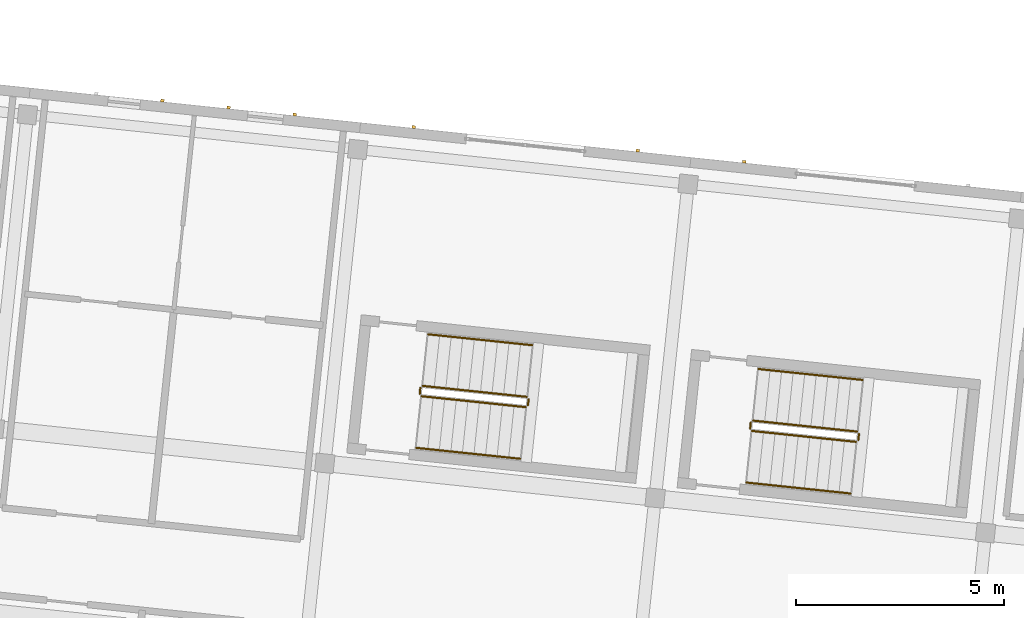
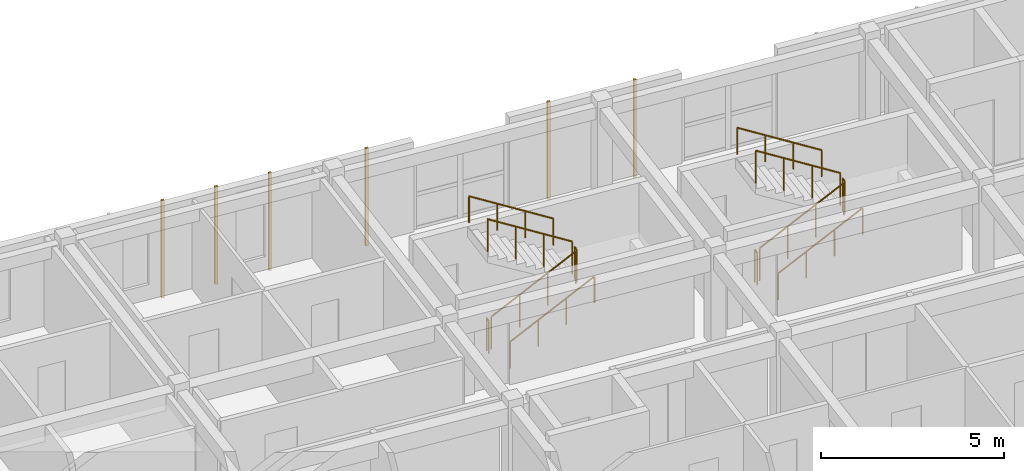
# One storey, part 63 of 64: 12 railings, 6 coverings.
"""IFC4 building model written with IfcOpenShell, lengths in metres."""

from ifc_helpers import new_model, si_unit, direction, frame, origin, origin_2d, place, context, subcontext, project, spatial, rectangle, circle, extrude, material, layer, layer_set, type_object, element, save


model = new_model("IFC4")

# Units and contexts
model_context = context("Model", 3, precision=1e-05, world=origin(), true_north=direction((0.0, 1.0)))
body_context = subcontext(model_context, "Body", "Model", "MODEL_VIEW")
ifc_project = project(units=[si_unit("LENGTHUNIT", "METRE"), si_unit("AREAUNIT", "SQUARE_METRE"), si_unit("VOLUMEUNIT", "CUBIC_METRE"), si_unit("PLANEANGLEUNIT", "RADIAN"), si_unit("MASSUNIT", "GRAM", prefix="KILO")], contexts=[model_context])

# Site, building, storey
site_placement = place(None, origin())
site = spatial("IfcSite", under=ifc_project, at=site_placement, CompositionType="ELEMENT")
building_placement = place(site_placement, origin())
building = spatial("IfcBuilding", under=site, at=building_placement, Name="Kestramere Prow Commons", CompositionType="ELEMENT")
storey_placement = place(building_placement, frame((0.0, 0.0, 24.64990234375)))
storey = spatial("IfcBuildingStorey", under=building, at=storey_placement, Name="L07", CompositionType="ELEMENT", Elevation=24.64990234375)

# Coverings
ifc_material_1 = material(Name="Weathered Zinc-Titanium Standing-Seam Cladding")
ifc_layer = layer(ifc_material_1, 0.074951171875)
ifc_layer_set = layer_set([ifc_layer], Name="Weathered Zinc-Titanium Standing-Seam Cladding")
covering_type = type_object("IfcCoveringType", Name="COV-CLAD-SEAM", PredefinedType="CLADDING", material=ifc_layer_set)
for number, where, z_axis, x_axis, name in (
    (1, (131.21435546875, 112.95947265625, -0.25), (0.0, 0.0, 1.0), (0.994521895368, -0.104528463268, 0.0), "EW-B-L07-N-2 Standing-Seam Rib 2"),
    (2, (132.8056640625, 112.792236328125, -0.25), (0.0, 0.0, 1.0), (0.994521895368, -0.104528463268, 0.0), "EW-B-L07-N-2 Standing-Seam Rib 3"),
    (3, (134.39697265625, 112.625, -0.25), (0.0, 0.0, 1.0), (0.994521895368, -0.104528463268, 0.0), "EW-B-L07-N-2 Standing-Seam Rib 4"),
    (4, (137.2685546875, 112.3232421875, -0.25), (0.0, 0.0, 1.0), (0.994521895368, -0.104528463268, 0.0), "EW-B-L07-NP-3-L Standing-Seam Rib 1"),
    (5, (142.663818359375, 111.756103515625, -0.25), (0.0, 0.0, 1.0), (0.994521895368, -0.104528463268, 0.0), "EW-B-L07-NP-3-R Standing-Seam Rib 1"),
    (6, (145.224609375, 111.48681640625, -0.25), (0.0, 0.0, 1.0), (0.994521895368, -0.104528463268, 0.0), "EW-B-L07-NP-4-L Standing-Seam Rib 1"),
):
    element("IfcCovering", number, at=place(storey_placement, frame(where, z_axis=z_axis, x_axis=x_axis)), inside=storey, type_object=covering_type, Name=name, PredefinedType="CLADDING", context=body_context, shape_type="SweptSolid", body=[
        extrude(rectangle(XDim=0.0849609375, YDim=0.06494140625, at=origin_2d()), origin(), (0.0, 0.0, 1.0), 3.25),
    ])

# Railings
ifc_material_2 = material(Name="Galvanised Steel S275JR", Category="steel")
railing_type_1 = type_object("IfcRailingType", Name="RL-ST-GR-1100", PredefinedType="GUARDRAIL", material=ifc_material_2)
railing_1_placement = place(storey_placement, frame((137.454345703125, 105.8408203125, 0.16259765625)))
element("IfcRailing", 7, at=railing_1_placement, inside=storey, type_object=railing_type_1, Name="L07 ST-B1 stair guard 1", PredefinedType="GUARDRAIL", context=body_context, shape_type="SweptSolid", body=[
    extrude(circle(Radius=0.02392578125, at=origin_2d()), frame((0.0, 0.0, 1.076171875), z_axis=(0.860186756994, -0.09040926464, 0.501901293044), x_axis=(0.104528455675, 0.994521896166, 0.0)), (0.0, 0.0, 1.0), 2.913818359375),
    extrude(circle(Radius=0.02099609375, at=origin_2d()), origin(), (0.0, 0.0, 1.0), 1.052001953125),
    extrude(circle(Radius=0.02099609375, at=origin_2d()), frame((0.83544921875, -0.087890625, 0.487548828125)), (0.0, 0.0, 1.0), 1.052001953125),
    extrude(circle(Radius=0.02099609375, at=origin_2d()), frame((1.6708984375, -0.175537109375, 0.974853515625)), (0.0, 0.0, 1.0), 1.052001953125),
    extrude(circle(Radius=0.02099609375, at=origin_2d()), frame((2.50634765625, -0.263427734375, 1.46240234375)), (0.0, 0.0, 1.0), 1.052001953125),
])
railing_2_placement = place(storey_placement, frame((140.015625, 105.621826171875, 1.625)))
element("IfcRailing", 8, at=railing_2_placement, inside=storey, type_object=railing_type_1, Name="L07 ST-B1 stair guard 2", PredefinedType="GUARDRAIL", context=body_context, shape_type="SweptSolid", body=[
    extrude(circle(Radius=0.02392578125, at=origin_2d()), frame((0.0, 0.0, 1.076171875), z_axis=(0.104176375855, 0.994558838236, 0.0), x_axis=(-0.994558838236, 0.104176375855, 0.0)), (0.0, 0.0, 1.0), 0.14990234375),
    extrude(circle(Radius=0.02099609375, at=origin_2d()), origin(), (0.0, 0.0, 1.0), 1.052001953125),
    extrude(circle(Radius=0.02099609375, at=origin_2d()), frame((0.015625, 0.149169921875, 0.0)), (0.0, 0.0, 1.0), 1.052001953125),
])
railing_3_placement = place(storey_placement, frame((139.98681640625, 105.825927734375, 1.78759765625)))
element("IfcRailing", 9, at=railing_3_placement, inside=storey, type_object=railing_type_1, Name="L07 ST-B1 stair guard 3", PredefinedType="GUARDRAIL", context=body_context, shape_type="SweptSolid", body=[
    extrude(circle(Radius=0.02392578125, at=origin_2d()), frame((0.0, 0.0, 1.076171875), z_axis=(-0.860164962675, 0.090415781269, 0.501937469695), x_axis=(-0.104538527394, -0.994520837534, 0.0)), (0.0, 0.0, 1.0), 2.91357421875),
    extrude(circle(Radius=0.02099609375, at=origin_2d()), origin(), (0.0, 0.0, 1.0), 1.052001953125),
    extrude(circle(Radius=0.02099609375, at=origin_2d()), frame((-0.83544921875, 0.087890625, 0.487548828125)), (0.0, 0.0, 1.0), 1.052001953125),
    extrude(circle(Radius=0.02099609375, at=origin_2d()), frame((-1.670654296875, 0.175537109375, 0.974853515625)), (0.0, 0.0, 1.0), 1.052001953125),
    extrude(circle(Radius=0.02099609375, at=origin_2d()), frame((-2.506103515625, 0.263427734375, 1.46240234375)), (0.0, 0.0, 1.0), 1.052001953125),
])
railing_4_placement = place(storey_placement, frame((137.409912109375, 105.895751953125, 0.0)))
element("IfcRailing", 10, at=railing_4_placement, inside=storey, type_object=railing_type_1, Name="L07 ST-B1 stair guard 4", PredefinedType="GUARDRAIL", context=body_context, shape_type="SweptSolid", body=[
    extrude(circle(Radius=0.02392578125, at=origin_2d()), frame((0.0, 0.0, 1.076171875), z_axis=(0.104176375855, 0.994558838236, 0.0), x_axis=(-0.994558838236, 0.104176375855, 0.0)), (0.0, 0.0, 1.0), 0.14990234375),
    extrude(circle(Radius=0.02099609375, at=origin_2d()), origin(), (0.0, 0.0, 1.0), 1.052001953125),
    extrude(circle(Radius=0.02099609375, at=origin_2d()), frame((0.015625, 0.149169921875, 0.0)), (0.0, 0.0, 1.0), 1.052001953125),
])
railing_5_placement = place(storey_placement, frame((145.41064453125, 105.00439453125, 0.16259765625)))
element("IfcRailing", 11, at=railing_5_placement, inside=storey, type_object=railing_type_1, Name="L07 ST-B2 stair guard 1", PredefinedType="GUARDRAIL", context=body_context, shape_type="SweptSolid", body=[
    extrude(circle(Radius=0.02392578125, at=origin_2d()), frame((0.0, 0.0, 1.076171875), z_axis=(0.860164962675, -0.090415781269, 0.501937469695), x_axis=(0.104538527394, 0.994520837534, 0.0)), (0.0, 0.0, 1.0), 2.91357421875),
    extrude(circle(Radius=0.02099609375, at=origin_2d()), origin(), (0.0, 0.0, 1.0), 1.052001953125),
    extrude(circle(Radius=0.02099609375, at=origin_2d()), frame((0.83544921875, -0.087890625, 0.487548828125)), (0.0, 0.0, 1.0), 1.052001953125),
    extrude(circle(Radius=0.02099609375, at=origin_2d()), frame((1.670654296875, -0.175537109375, 0.974853515625)), (0.0, 0.0, 1.0), 1.052001953125),
    extrude(circle(Radius=0.02099609375, at=origin_2d()), frame((2.506103515625, -0.263427734375, 1.46240234375)), (0.0, 0.0, 1.0), 1.052001953125),
])
railing_6_placement = place(storey_placement, frame((147.9716796875, 104.78564453125, 1.625)))
element("IfcRailing", 12, at=railing_6_placement, inside=storey, type_object=railing_type_1, Name="L07 ST-B2 stair guard 2", PredefinedType="GUARDRAIL", context=body_context, shape_type="SweptSolid", body=[
    extrude(circle(Radius=0.02392578125, at=origin_2d()), frame((0.0, 0.0, 1.076171875), z_axis=(0.105786054594, 0.994388913179, 0.0), x_axis=(-0.994388913179, 0.105786054594, 0.0)), (0.0, 0.0, 1.0), 0.14990234375),
    extrude(circle(Radius=0.02099609375, at=origin_2d()), origin(), (0.0, 0.0, 1.0), 1.052001953125),
    extrude(circle(Radius=0.02099609375, at=origin_2d()), frame((0.015869140625, 0.149169921875, 0.0)), (0.0, 0.0, 1.0), 1.052001953125),
])
railing_7_placement = place(storey_placement, frame((147.94287109375, 104.98974609375, 1.78759765625)))
element("IfcRailing", 13, at=railing_7_placement, inside=storey, type_object=railing_type_1, Name="L07 ST-B2 stair guard 3", PredefinedType="GUARDRAIL", context=body_context, shape_type="SweptSolid", body=[
    extrude(circle(Radius=0.02392578125, at=origin_2d()), frame((0.0, 0.0, 1.076171875), z_axis=(-0.860164962675, 0.090415781269, 0.501937469695), x_axis=(-0.104538527394, -0.994520837534, 0.0)), (0.0, 0.0, 1.0), 2.91357421875),
    extrude(circle(Radius=0.02099609375, at=origin_2d()), origin(), (0.0, 0.0, 1.0), 1.052001953125),
    extrude(circle(Radius=0.02099609375, at=origin_2d()), frame((-0.83544921875, 0.087890625, 0.487548828125)), (0.0, 0.0, 1.0), 1.052001953125),
    extrude(circle(Radius=0.02099609375, at=origin_2d()), frame((-1.670654296875, 0.175537109375, 0.974853515625)), (0.0, 0.0, 1.0), 1.052001953125),
    extrude(circle(Radius=0.02099609375, at=origin_2d()), frame((-2.506103515625, 0.263427734375, 1.46240234375)), (0.0, 0.0, 1.0), 1.052001953125),
])
railing_8_placement = place(storey_placement, frame((145.3662109375, 105.059326171875, 0.0)))
element("IfcRailing", 14, at=railing_8_placement, inside=storey, type_object=railing_type_1, Name="L07 ST-B2 stair guard 4", PredefinedType="GUARDRAIL", context=body_context, shape_type="SweptSolid", body=[
    extrude(circle(Radius=0.02392578125, at=origin_2d()), frame((0.0, 0.0, 1.076171875), z_axis=(0.104176375855, 0.994558838236, 0.0), x_axis=(-0.994558838236, 0.104176375855, 0.0)), (0.0, 0.0, 1.0), 0.14990234375),
    extrude(circle(Radius=0.02099609375, at=origin_2d()), origin(), (0.0, 0.0, 1.0), 1.052001953125),
    extrude(circle(Radius=0.02099609375, at=origin_2d()), frame((0.015625, 0.149169921875, 0.0)), (0.0, 0.0, 1.0), 1.052001953125),
])
ifc_material_3 = material(Name="Stainless Steel 304", Category="steel")
railing_type_2 = type_object("IfcRailingType", Name="RL-ST-HR-900", PredefinedType="HANDRAIL", material=ifc_material_3)
railing_9_placement = place(storey_placement, frame((137.32373046875, 104.59765625, 0.3251953125)))
element("IfcRailing", 15, at=railing_9_placement, inside=storey, type_object=railing_type_2, Name="L07 ST-B1 stair handrail 1", PredefinedType="HANDRAIL", context=body_context, shape_type="SweptSolid", body=[
    extrude(circle(Radius=0.02392578125, at=origin_2d()), frame((0.0, 0.0, 0.8759765625), z_axis=(0.860186756994, -0.09040926464, 0.501901293044), x_axis=(0.104528455675, 0.994521896166, 0.0)), (0.0, 0.0, 1.0), 2.913818359375),
    extrude(circle(Radius=0.02099609375, at=origin_2d()), origin(), (0.0, 0.0, 1.0), 0.851806640625),
    extrude(circle(Radius=0.02099609375, at=origin_2d()), frame((0.83544921875, -0.087890625, 0.487548828125)), (0.0, 0.0, 1.0), 0.851806640625),
    extrude(circle(Radius=0.02099609375, at=origin_2d()), frame((1.6708984375, -0.175537109375, 0.974853515625)), (0.0, 0.0, 1.0), 0.851806640625),
    extrude(circle(Radius=0.02099609375, at=origin_2d()), frame((2.50634765625, -0.263427734375, 1.46240234375)), (0.0, 0.0, 1.0), 0.851806640625),
])
railing_10_placement = place(storey_placement, frame((140.117431640625, 107.069091796875, 1.9501953125)))
element("IfcRailing", 16, at=railing_10_placement, inside=storey, type_object=railing_type_2, Name="L07 ST-B1 stair handrail 2", PredefinedType="HANDRAIL", context=body_context, shape_type="SweptSolid", body=[
    extrude(circle(Radius=0.02392578125, at=origin_2d()), frame((0.0, 0.0, 0.8759765625), z_axis=(-0.860164962675, 0.090415781269, 0.501937469695), x_axis=(-0.104538527394, -0.994520837534, 0.0)), (0.0, 0.0, 1.0), 2.91357421875),
    extrude(circle(Radius=0.02099609375, at=origin_2d()), origin(), (0.0, 0.0, 1.0), 0.851806640625),
    extrude(circle(Radius=0.02099609375, at=origin_2d()), frame((-0.83544921875, 0.087890625, 0.487548828125)), (0.0, 0.0, 1.0), 0.851806640625),
    extrude(circle(Radius=0.02099609375, at=origin_2d()), frame((-1.670654296875, 0.175537109375, 0.974853515625)), (0.0, 0.0, 1.0), 0.851806640625),
    extrude(circle(Radius=0.02099609375, at=origin_2d()), frame((-2.506103515625, 0.263427734375, 1.46240234375)), (0.0, 0.0, 1.0), 0.851806640625),
])
railing_11_placement = place(storey_placement, frame((145.280029296875, 103.76123046875, 0.3251953125)))
element("IfcRailing", 17, at=railing_11_placement, inside=storey, type_object=railing_type_2, Name="L07 ST-B2 stair handrail 1", PredefinedType="HANDRAIL", context=body_context, shape_type="SweptSolid", body=[
    extrude(circle(Radius=0.02392578125, at=origin_2d()), frame((0.0, 0.0, 0.8759765625), z_axis=(0.860164962675, -0.090415781269, 0.501937469695), x_axis=(0.104538527394, 0.994520837534, 0.0)), (0.0, 0.0, 1.0), 2.91357421875),
    extrude(circle(Radius=0.02099609375, at=origin_2d()), origin(), (0.0, 0.0, 1.0), 0.851806640625),
    extrude(circle(Radius=0.02099609375, at=origin_2d()), frame((0.83544921875, -0.087890625, 0.487548828125)), (0.0, 0.0, 1.0), 0.851806640625),
    extrude(circle(Radius=0.02099609375, at=origin_2d()), frame((1.670654296875, -0.175537109375, 0.974853515625)), (0.0, 0.0, 1.0), 0.851806640625),
    extrude(circle(Radius=0.02099609375, at=origin_2d()), frame((2.506103515625, -0.263427734375, 1.46240234375)), (0.0, 0.0, 1.0), 0.851806640625),
])
railing_12_placement = place(storey_placement, frame((148.07373046875, 106.23291015625, 1.9501953125)))
element("IfcRailing", 18, at=railing_12_placement, inside=storey, type_object=railing_type_2, Name="L07 ST-B2 stair handrail 2", PredefinedType="HANDRAIL", context=body_context, shape_type="SweptSolid", body=[
    extrude(circle(Radius=0.02392578125, at=origin_2d()), frame((0.0, 0.0, 0.8759765625), z_axis=(-0.860186756994, 0.09040926464, 0.501901293044), x_axis=(-0.104528455675, -0.994521896166, 0.0)), (0.0, 0.0, 1.0), 2.913818359375),
    extrude(circle(Radius=0.02099609375, at=origin_2d()), origin(), (0.0, 0.0, 1.0), 0.851806640625),
    extrude(circle(Radius=0.02099609375, at=origin_2d()), frame((-0.83544921875, 0.087890625, 0.487548828125)), (0.0, 0.0, 1.0), 0.851806640625),
    extrude(circle(Radius=0.02099609375, at=origin_2d()), frame((-1.6708984375, 0.175537109375, 0.974853515625)), (0.0, 0.0, 1.0), 0.851806640625),
    extrude(circle(Radius=0.02099609375, at=origin_2d()), frame((-2.50634765625, 0.263427734375, 1.46240234375)), (0.0, 0.0, 1.0), 0.851806640625),
])

save(model, "model.ifc")
